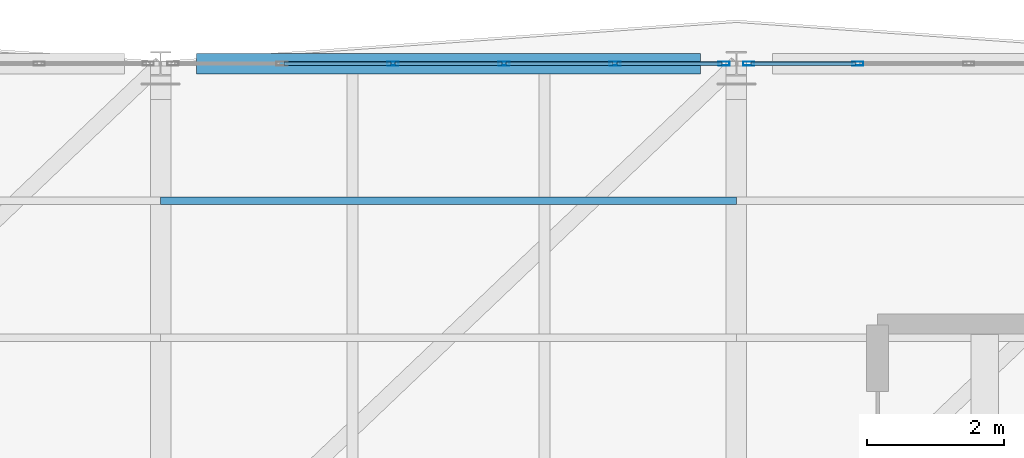
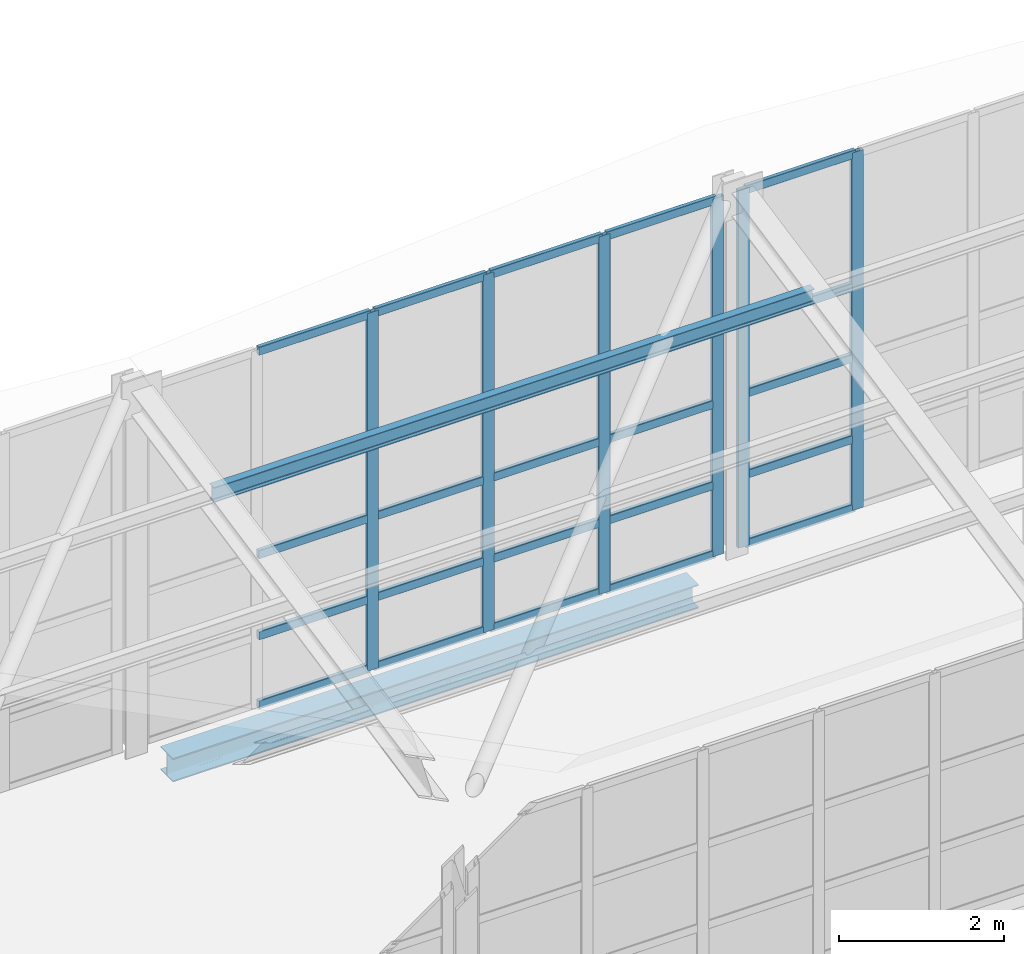
# One storey, part 111 of 177: 32 members, 1 beam, 2 elements without a shape of their own.
"""IFC4 building model written with IfcOpenShell, lengths in metres."""

from ifc_helpers import new_model, si_unit, direction, frame, origin, origin_2d, place, context, subcontext, project, spatial, hollow_rectangle, i_section, extrude, material, layer, layer_set, material_profile, profile_set, type_object, element, aggregate, save


model = new_model("IFC4")

# Units and contexts
model_context = context("Model", 3, precision=1e-05, world=origin(), true_north=direction((0.0, 1.0)))
body_context = subcontext(model_context, "Body", "Model", "MODEL_VIEW")
ifc_project = project(units=[si_unit("LENGTHUNIT", "METRE"), si_unit("AREAUNIT", "SQUARE_METRE"), si_unit("VOLUMEUNIT", "CUBIC_METRE"), si_unit("PLANEANGLEUNIT", "RADIAN"), si_unit("MASSUNIT", "GRAM", prefix="KILO"), si_unit("THERMODYNAMICTEMPERATUREUNIT", "KELVIN"), si_unit("POWERUNIT", "WATT")], contexts=[model_context])

# Site, building, storey
site_placement = place(None, origin())
site = spatial("IfcSite", under=ifc_project, at=site_placement, CompositionType="ELEMENT")
building_placement = place(site_placement, origin())
building = spatial("IfcBuilding", under=site, at=building_placement, Name="Mavoryth Pier Ferry Terminal", CompositionType="ELEMENT")
storey_placement = place(building_placement, frame((0.0, 0.0, 5.43994140625)))
storey = spatial("IfcBuildingStorey", under=building, at=storey_placement, Name="L01", CompositionType="ELEMENT", Elevation=5.43994140625)

# Curtain wall, members
ifc_material_1 = material(Name="Anodised Aluminium and Solar-Control Low-E Glass", Category="aluminium")
ifc_layer = layer(ifc_material_1, 0.139892578125, Name="Anodised Aluminium and Solar-Control Low-E Glass", Category="aluminium")
ifc_layer_set = layer_set([ifc_layer], Name="Anodised Aluminium and Solar-Control Low-E Glass - CW-Gallery-Mod1600")
curtain_wall_type = type_object("IfcCurtainWallType", Name="CW-Gallery-Mod1600", PredefinedType="USERDEFINED", material=ifc_layer_set)
curtain_wall_1_placement = place(storey_placement, origin())
curtain_wall_1 = element("IfcCurtainWall", 1, at=curtain_wall_1_placement, inside=storey, type_object=curtain_wall_type, Name="Curtain Wall CW-0122-088", ObjectType="UNITISED CURTAIN WALL", PredefinedType="USERDEFINED")
ifc_material_2 = material(Name="Anodised Aluminium EN AW-6063", Category="aluminium")
ifc_material_profile_1 = material_profile(ifc_material_2, hollow_rectangle(XDim=0.06005859375, YDim=0.1650390625, WallThickness=0.00390625, InnerFilletRadius=0.00390625, OuterFilletRadius=0.008056640625, at=origin_2d()), Name="AL-MULL 165x60x4", Category="aluminium")
ifc_profile_set_1 = profile_set([ifc_material_profile_1], Name="Anodised Aluminium EN AW-6063 - AL-MULL 165x60x4")
member_type_1 = type_object("IfcMemberType", Name="Mullion-Alum-165x60", PredefinedType="MULLION", material=ifc_profile_set_1)
member_1_placement = place(storey_placement, frame((125.820068359375, 114.0, 0.0), z_axis=(0.0, 0.0, 1.0), x_axis=(0.0, -1.0, 0.0)))
member_1 = element("IfcMember", 2, at=member_1_placement, type_object=member_type_1, Name="CW05 mullion 1", PredefinedType="MULLION", context=body_context, shape_type="SweptSolid", body=[
    extrude(hollow_rectangle(XDim=0.06005859375, YDim=0.1650390625, WallThickness=0.00390625, InnerFilletRadius=0.00390625, OuterFilletRadius=0.008056640625, at=origin_2d()), origin(), (0.0, 0.0, 1.0), 5.28759765625),
])
member_2_placement = place(storey_placement, frame((124.22998046875, 114.0, 0.0), z_axis=(0.0, 0.0, 1.0), x_axis=(0.0, -1.0, 0.0)))
member_2 = element("IfcMember", 3, at=member_2_placement, type_object=member_type_1, Name="CW05 mullion 2", PredefinedType="MULLION", context=body_context, shape_type="SweptSolid", body=[
    extrude(hollow_rectangle(XDim=0.06005859375, YDim=0.1650390625, WallThickness=0.00390625, InnerFilletRadius=0.00390625, OuterFilletRadius=0.008056640625, at=origin_2d()), origin(), (0.0, 0.0, 1.0), 5.28759765625),
])
member_3_placement = place(storey_placement, frame((122.610107421875, 114.0, 0.0), z_axis=(0.0, 0.0, 1.0), x_axis=(0.0, -1.0, 0.0)))
member_3 = element("IfcMember", 4, at=member_3_placement, type_object=member_type_1, Name="CW05 mullion 3", PredefinedType="MULLION", context=body_context, shape_type="SweptSolid", body=[
    extrude(hollow_rectangle(XDim=0.06005859375, YDim=0.1650390625, WallThickness=0.00390625, InnerFilletRadius=0.00390625, OuterFilletRadius=0.008056640625, at=origin_2d()), origin(), (0.0, 0.0, 1.0), 5.28759765625),
])
member_4_placement = place(storey_placement, frame((120.989990234375, 114.0, 0.0), z_axis=(0.0, 0.0, 1.0), x_axis=(0.0, -1.0, 0.0)))
member_4 = element("IfcMember", 5, at=member_4_placement, type_object=member_type_1, Name="CW05 mullion 4", PredefinedType="MULLION", context=body_context, shape_type="SweptSolid", body=[
    extrude(hollow_rectangle(XDim=0.06005859375, YDim=0.1650390625, WallThickness=0.00390625, InnerFilletRadius=0.00390625, OuterFilletRadius=0.008056640625, at=origin_2d()), origin(), (0.0, 0.0, 1.0), 5.28759765625),
])

curtain_wall_2_placement = place(storey_placement, origin())
curtain_wall_2 = element("IfcCurtainWall", 6, at=curtain_wall_2_placement, inside=storey, type_object=curtain_wall_type, Name="Curtain Wall CW-0122-090", ObjectType="UNITISED CURTAIN WALL", PredefinedType="USERDEFINED")
member_5_placement = place(storey_placement, frame((127.77001953125, 114.0, 0.0), z_axis=(0.0, 0.0, 1.0), x_axis=(0.0, -1.0, 0.0)))
member_5 = element("IfcMember", 7, at=member_5_placement, type_object=member_type_1, Name="CW05 mullion 5", PredefinedType="MULLION", context=body_context, shape_type="SweptSolid", body=[
    extrude(hollow_rectangle(XDim=0.06005859375, YDim=0.1650390625, WallThickness=0.00390625, InnerFilletRadius=0.00390625, OuterFilletRadius=0.008056640625, at=origin_2d()), origin(), (0.0, 0.0, 1.0), 5.28759765625),
])
member_6_placement = place(storey_placement, frame((126.179931640625, 114.0, 0.0), z_axis=(0.0, 0.0, 1.0), x_axis=(0.0, -1.0, 0.0)))
member_6 = element("IfcMember", 8, at=member_6_placement, type_object=member_type_1, Name="CW05 mullion 6", PredefinedType="MULLION", context=body_context, shape_type="SweptSolid", body=[
    extrude(hollow_rectangle(XDim=0.06005859375, YDim=0.1650390625, WallThickness=0.00390625, InnerFilletRadius=0.00390625, OuterFilletRadius=0.008056640625, at=origin_2d()), origin(), (0.0, 0.0, 1.0), 5.28759765625),
])

# Member
ifc_material_3 = material(Name="Steel S355J2", Category="steel")
ifc_material_profile_2 = material_profile(ifc_material_3, i_section(OverallWidth=0.110107421875, OverallDepth=0.219970703125, WebThickness=0.005859375, FlangeThickness=0.00927734375, FilletRadius=0.011962890625, at=origin_2d()), Name="IPE 220", Category="steel")
ifc_profile_set_2 = profile_set([ifc_material_profile_2], Name="Steel S355J2 - IPE 220")
member_type_2 = type_object("IfcMemberType", Name="Purlin-Roof-IPE220", PredefinedType="PURLIN", material=ifc_profile_set_2)
member_7_placement = place(storey_placement, frame((117.60009765625, 112.0, 4.991943359375), z_axis=(1.0, 0.0, 0.0), x_axis=(0.0, 1.0, 0.0)))
element("IfcMember", 9, at=member_7_placement, inside=storey, type_object=member_type_2, Name="Steel Member MB-L01-0284", PredefinedType="PURLIN", context=body_context, shape_type="SweptSolid", body=[
    extrude(i_section(OverallWidth=0.110107421875, OverallDepth=0.219970703125, WebThickness=0.005859375, FlangeThickness=0.00927734375, FilletRadius=0.011962890625, at=origin_2d()), origin(), (0.0, 0.0, 1.0), 8.39990234375),
])

# Beam
ifc_material_profile_3 = material_profile(ifc_material_3, i_section(OverallWidth=0.300048828125, OverallDepth=0.35009765625, WebThickness=0.010009765625, FlangeThickness=0.017578125, FilletRadius=0.027099609375, at=origin_2d()), Name="HEA 360", Category="steel")
ifc_profile_set_3 = profile_set([ifc_material_profile_3], Name="Steel S355J2 - HEA 360")
beam_type = type_object("IfcBeamType", Name="Spandrel-Steel-HEA360", PredefinedType="SPANDREL", material=ifc_profile_set_3)
beam_placement = place(storey_placement, frame((118.125, 114.0, -0.4150390625), z_axis=(1.0, 0.0, 0.0), x_axis=(0.0, 1.0, 0.0)))
element("IfcBeam", 10, at=beam_placement, inside=storey, type_object=beam_type, Name="Beam B01-SP03-0274", PredefinedType="SPANDREL", context=body_context, shape_type="SweptSolid", body=[
    extrude(i_section(OverallWidth=0.300048828125, OverallDepth=0.35009765625, WebThickness=0.010009765625, FlangeThickness=0.017578125, FilletRadius=0.027099609375, at=origin_2d()), origin(), (0.0, 0.0, 1.0), 7.35009765625),
])

# Member
ifc_material_profile_4 = material_profile(ifc_material_2, hollow_rectangle(XDim=0.06005859375, YDim=0.125, WallThickness=0.00390625, InnerFilletRadius=0.00390625, OuterFilletRadius=0.008056640625, at=origin_2d()), Name="AL-TRAN 125x60x4", Category="aluminium")
ifc_profile_set_4 = profile_set([ifc_material_profile_4], Name="Anodised Aluminium EN AW-6063 - AL-TRAN 125x60x4")
member_type_3 = type_object("IfcMemberType", Name="Transom-Alum-125x60", PredefinedType="USERDEFINED", material=ifc_profile_set_4)
member_8_placement = place(storey_placement, frame((125.7900390625, 114.0, 0.030029296875), z_axis=(-1.0, 0.0, 0.0), x_axis=(0.0, -1.0, 0.0)))
member_8 = element("IfcMember", 11, at=member_8_placement, type_object=member_type_3, Name="CW05 transom 1.1", ObjectType="TRANSOM", PredefinedType="USERDEFINED", context=body_context, shape_type="SweptSolid", body=[
    extrude(hollow_rectangle(XDim=0.06005859375, YDim=0.125, WallThickness=0.00390625, InnerFilletRadius=0.00390625, OuterFilletRadius=0.008056640625, at=origin_2d()), origin(), (0.0, 0.0, 1.0), 1.530029296875),
])

member_9_placement = place(storey_placement, frame((125.7900390625, 114.0, 1.050048828125), z_axis=(-1.0, 0.0, 0.0), x_axis=(0.0, -1.0, 0.0)))
member_9 = element("IfcMember", 12, at=member_9_placement, type_object=member_type_3, Name="CW05 transom 1.2", ObjectType="TRANSOM", PredefinedType="USERDEFINED", context=body_context, shape_type="SweptSolid", body=[
    extrude(hollow_rectangle(XDim=0.06005859375, YDim=0.125, WallThickness=0.00390625, InnerFilletRadius=0.00390625, OuterFilletRadius=0.008056640625, at=origin_2d()), origin(), (0.0, 0.0, 1.0), 1.530029296875),
])

member_10_placement = place(storey_placement, frame((125.7900390625, 114.0, 2.25), z_axis=(-1.0, 0.0, 0.0), x_axis=(0.0, -1.0, 0.0)))
member_10 = element("IfcMember", 13, at=member_10_placement, type_object=member_type_3, Name="CW05 transom 1.3", ObjectType="TRANSOM", PredefinedType="USERDEFINED", context=body_context, shape_type="SweptSolid", body=[
    extrude(hollow_rectangle(XDim=0.06005859375, YDim=0.125, WallThickness=0.00390625, InnerFilletRadius=0.00390625, OuterFilletRadius=0.008056640625, at=origin_2d()), origin(), (0.0, 0.0, 1.0), 1.530029296875),
])

member_11_placement = place(storey_placement, frame((125.7900390625, 114.0, 3.300048828125), z_axis=(-1.0, 0.0, 0.0), x_axis=(0.0, -1.0, 0.0)))
member_11 = element("IfcMember", 14, at=member_11_placement, type_object=member_type_3, Name="CW05 transom 1.4", ObjectType="TRANSOM", PredefinedType="USERDEFINED", context=body_context, shape_type="SweptSolid", body=[
    extrude(hollow_rectangle(XDim=0.06005859375, YDim=0.125, WallThickness=0.00390625, InnerFilletRadius=0.00390625, OuterFilletRadius=0.008056640625, at=origin_2d()), origin(), (0.0, 0.0, 1.0), 1.530029296875),
])

member_12_placement = place(storey_placement, frame((125.7900390625, 114.0, 5.257568359375), z_axis=(-1.0, 0.0, 0.0), x_axis=(0.0, -1.0, 0.0)))
member_12 = element("IfcMember", 15, at=member_12_placement, type_object=member_type_3, Name="CW05 transom 1.5", ObjectType="TRANSOM", PredefinedType="USERDEFINED", context=body_context, shape_type="SweptSolid", body=[
    extrude(hollow_rectangle(XDim=0.06005859375, YDim=0.125, WallThickness=0.00390625, InnerFilletRadius=0.00390625, OuterFilletRadius=0.008056640625, at=origin_2d()), origin(), (0.0, 0.0, 1.0), 1.530029296875),
])

member_13_placement = place(storey_placement, frame((124.199951171875, 114.0, 0.030029296875), z_axis=(-1.0, 0.0, 0.0), x_axis=(0.0, -1.0, 0.0)))
member_13 = element("IfcMember", 16, at=member_13_placement, type_object=member_type_3, Name="CW05 transom 2.1", ObjectType="TRANSOM", PredefinedType="USERDEFINED", context=body_context, shape_type="SweptSolid", body=[
    extrude(hollow_rectangle(XDim=0.06005859375, YDim=0.125, WallThickness=0.00390625, InnerFilletRadius=0.00390625, OuterFilletRadius=0.008056640625, at=origin_2d()), origin(), (0.0, 0.0, 1.0), 1.56005859375),
])

member_14_placement = place(storey_placement, frame((124.199951171875, 114.0, 1.050048828125), z_axis=(-1.0, 0.0, 0.0), x_axis=(0.0, -1.0, 0.0)))
member_14 = element("IfcMember", 17, at=member_14_placement, type_object=member_type_3, Name="CW05 transom 2.2", ObjectType="TRANSOM", PredefinedType="USERDEFINED", context=body_context, shape_type="SweptSolid", body=[
    extrude(hollow_rectangle(XDim=0.06005859375, YDim=0.125, WallThickness=0.00390625, InnerFilletRadius=0.00390625, OuterFilletRadius=0.008056640625, at=origin_2d()), origin(), (0.0, 0.0, 1.0), 1.56005859375),
])

member_15_placement = place(storey_placement, frame((124.199951171875, 114.0, 2.25), z_axis=(-1.0, 0.0, 0.0), x_axis=(0.0, -1.0, 0.0)))
member_15 = element("IfcMember", 18, at=member_15_placement, type_object=member_type_3, Name="CW05 transom 2.3", ObjectType="TRANSOM", PredefinedType="USERDEFINED", context=body_context, shape_type="SweptSolid", body=[
    extrude(hollow_rectangle(XDim=0.06005859375, YDim=0.125, WallThickness=0.00390625, InnerFilletRadius=0.00390625, OuterFilletRadius=0.008056640625, at=origin_2d()), origin(), (0.0, 0.0, 1.0), 1.56005859375),
])

member_16_placement = place(storey_placement, frame((124.199951171875, 114.0, 3.300048828125), z_axis=(-1.0, 0.0, 0.0), x_axis=(0.0, -1.0, 0.0)))
member_16 = element("IfcMember", 19, at=member_16_placement, type_object=member_type_3, Name="CW05 transom 2.4", ObjectType="TRANSOM", PredefinedType="USERDEFINED", context=body_context, shape_type="SweptSolid", body=[
    extrude(hollow_rectangle(XDim=0.06005859375, YDim=0.125, WallThickness=0.00390625, InnerFilletRadius=0.00390625, OuterFilletRadius=0.008056640625, at=origin_2d()), origin(), (0.0, 0.0, 1.0), 1.56005859375),
])

member_17_placement = place(storey_placement, frame((124.199951171875, 114.0, 5.257568359375), z_axis=(-1.0, 0.0, 0.0), x_axis=(0.0, -1.0, 0.0)))
member_17 = element("IfcMember", 20, at=member_17_placement, type_object=member_type_3, Name="CW05 transom 2.5", ObjectType="TRANSOM", PredefinedType="USERDEFINED", context=body_context, shape_type="SweptSolid", body=[
    extrude(hollow_rectangle(XDim=0.06005859375, YDim=0.125, WallThickness=0.00390625, InnerFilletRadius=0.00390625, OuterFilletRadius=0.008056640625, at=origin_2d()), origin(), (0.0, 0.0, 1.0), 1.56005859375),
])

member_18_placement = place(storey_placement, frame((122.580078125, 114.0, 0.030029296875), z_axis=(-1.0, 0.0, 0.0), x_axis=(0.0, -1.0, 0.0)))
member_18 = element("IfcMember", 21, at=member_18_placement, type_object=member_type_3, Name="CW05 transom 3.1", ObjectType="TRANSOM", PredefinedType="USERDEFINED", context=body_context, shape_type="SweptSolid", body=[
    extrude(hollow_rectangle(XDim=0.06005859375, YDim=0.125, WallThickness=0.00390625, InnerFilletRadius=0.00390625, OuterFilletRadius=0.008056640625, at=origin_2d()), origin(), (0.0, 0.0, 1.0), 1.56005859375),
])

member_19_placement = place(storey_placement, frame((122.580078125, 114.0, 1.050048828125), z_axis=(-1.0, 0.0, 0.0), x_axis=(0.0, -1.0, 0.0)))
member_19 = element("IfcMember", 22, at=member_19_placement, type_object=member_type_3, Name="CW05 transom 3.2", ObjectType="TRANSOM", PredefinedType="USERDEFINED", context=body_context, shape_type="SweptSolid", body=[
    extrude(hollow_rectangle(XDim=0.06005859375, YDim=0.125, WallThickness=0.00390625, InnerFilletRadius=0.00390625, OuterFilletRadius=0.008056640625, at=origin_2d()), origin(), (0.0, 0.0, 1.0), 1.56005859375),
])

member_20_placement = place(storey_placement, frame((122.580078125, 114.0, 2.25), z_axis=(-1.0, 0.0, 0.0), x_axis=(0.0, -1.0, 0.0)))
member_20 = element("IfcMember", 23, at=member_20_placement, type_object=member_type_3, Name="CW05 transom 3.3", ObjectType="TRANSOM", PredefinedType="USERDEFINED", context=body_context, shape_type="SweptSolid", body=[
    extrude(hollow_rectangle(XDim=0.06005859375, YDim=0.125, WallThickness=0.00390625, InnerFilletRadius=0.00390625, OuterFilletRadius=0.008056640625, at=origin_2d()), origin(), (0.0, 0.0, 1.0), 1.56005859375),
])

member_21_placement = place(storey_placement, frame((122.580078125, 114.0, 3.300048828125), z_axis=(-1.0, 0.0, 0.0), x_axis=(0.0, -1.0, 0.0)))
member_21 = element("IfcMember", 24, at=member_21_placement, type_object=member_type_3, Name="CW05 transom 3.4", ObjectType="TRANSOM", PredefinedType="USERDEFINED", context=body_context, shape_type="SweptSolid", body=[
    extrude(hollow_rectangle(XDim=0.06005859375, YDim=0.125, WallThickness=0.00390625, InnerFilletRadius=0.00390625, OuterFilletRadius=0.008056640625, at=origin_2d()), origin(), (0.0, 0.0, 1.0), 1.56005859375),
])

member_22_placement = place(storey_placement, frame((122.580078125, 114.0, 5.257568359375), z_axis=(-1.0, 0.0, 0.0), x_axis=(0.0, -1.0, 0.0)))
member_22 = element("IfcMember", 25, at=member_22_placement, type_object=member_type_3, Name="CW05 transom 3.5", ObjectType="TRANSOM", PredefinedType="USERDEFINED", context=body_context, shape_type="SweptSolid", body=[
    extrude(hollow_rectangle(XDim=0.06005859375, YDim=0.125, WallThickness=0.00390625, InnerFilletRadius=0.00390625, OuterFilletRadius=0.008056640625, at=origin_2d()), origin(), (0.0, 0.0, 1.0), 1.56005859375),
])

member_23_placement = place(storey_placement, frame((120.9599609375, 114.0, 0.030029296875), z_axis=(-1.0, 0.0, 0.0), x_axis=(0.0, -1.0, 0.0)))
member_23 = element("IfcMember", 26, at=member_23_placement, type_object=member_type_3, Name="CW05 transom 4.1", ObjectType="TRANSOM", PredefinedType="USERDEFINED", context=body_context, shape_type="SweptSolid", body=[
    extrude(hollow_rectangle(XDim=0.06005859375, YDim=0.125, WallThickness=0.00390625, InnerFilletRadius=0.00390625, OuterFilletRadius=0.008056640625, at=origin_2d()), origin(), (0.0, 0.0, 1.0), 1.56005859375),
])

member_24_placement = place(storey_placement, frame((120.9599609375, 114.0, 1.050048828125), z_axis=(-1.0, 0.0, 0.0), x_axis=(0.0, -1.0, 0.0)))
member_24 = element("IfcMember", 27, at=member_24_placement, type_object=member_type_3, Name="CW05 transom 4.2", ObjectType="TRANSOM", PredefinedType="USERDEFINED", context=body_context, shape_type="SweptSolid", body=[
    extrude(hollow_rectangle(XDim=0.06005859375, YDim=0.125, WallThickness=0.00390625, InnerFilletRadius=0.00390625, OuterFilletRadius=0.008056640625, at=origin_2d()), origin(), (0.0, 0.0, 1.0), 1.56005859375),
])

member_25_placement = place(storey_placement, frame((120.9599609375, 114.0, 2.25), z_axis=(-1.0, 0.0, 0.0), x_axis=(0.0, -1.0, 0.0)))
member_25 = element("IfcMember", 28, at=member_25_placement, type_object=member_type_3, Name="CW05 transom 4.3", ObjectType="TRANSOM", PredefinedType="USERDEFINED", context=body_context, shape_type="SweptSolid", body=[
    extrude(hollow_rectangle(XDim=0.06005859375, YDim=0.125, WallThickness=0.00390625, InnerFilletRadius=0.00390625, OuterFilletRadius=0.008056640625, at=origin_2d()), origin(), (0.0, 0.0, 1.0), 1.56005859375),
])

member_26_placement = place(storey_placement, frame((120.9599609375, 114.0, 3.300048828125), z_axis=(-1.0, 0.0, 0.0), x_axis=(0.0, -1.0, 0.0)))
member_26 = element("IfcMember", 29, at=member_26_placement, type_object=member_type_3, Name="CW05 transom 4.4", ObjectType="TRANSOM", PredefinedType="USERDEFINED", context=body_context, shape_type="SweptSolid", body=[
    extrude(hollow_rectangle(XDim=0.06005859375, YDim=0.125, WallThickness=0.00390625, InnerFilletRadius=0.00390625, OuterFilletRadius=0.008056640625, at=origin_2d()), origin(), (0.0, 0.0, 1.0), 1.56005859375),
])

member_27_placement = place(storey_placement, frame((120.9599609375, 114.0, 5.257568359375), z_axis=(-1.0, 0.0, 0.0), x_axis=(0.0, -1.0, 0.0)))
member_27 = element("IfcMember", 30, at=member_27_placement, type_object=member_type_3, Name="CW05 transom 4.5", ObjectType="TRANSOM", PredefinedType="USERDEFINED", context=body_context, shape_type="SweptSolid", body=[
    extrude(hollow_rectangle(XDim=0.06005859375, YDim=0.125, WallThickness=0.00390625, InnerFilletRadius=0.00390625, OuterFilletRadius=0.008056640625, at=origin_2d()), origin(), (0.0, 0.0, 1.0), 1.56005859375),
])

aggregate(curtain_wall_1, [member_1, member_2, member_3, member_4, member_8, member_9, member_10, member_11, member_12, member_13, member_14, member_15, member_16, member_17, member_18, member_19, member_20, member_21, member_22, member_23, member_24, member_25, member_26, member_27])

member_28_placement = place(storey_placement, frame((127.739990234375, 114.0, 0.030029296875), z_axis=(-1.0, 0.0, 0.0), x_axis=(0.0, -1.0, 0.0)))
member_28 = element("IfcMember", 31, at=member_28_placement, type_object=member_type_3, Name="CW05 transom 5.1", ObjectType="TRANSOM", PredefinedType="USERDEFINED", context=body_context, shape_type="SweptSolid", body=[
    extrude(hollow_rectangle(XDim=0.06005859375, YDim=0.125, WallThickness=0.00390625, InnerFilletRadius=0.00390625, OuterFilletRadius=0.008056640625, at=origin_2d()), origin(), (0.0, 0.0, 1.0), 1.530029296875),
])

member_29_placement = place(storey_placement, frame((127.739990234375, 114.0, 1.050048828125), z_axis=(-1.0, 0.0, 0.0), x_axis=(0.0, -1.0, 0.0)))
member_29 = element("IfcMember", 32, at=member_29_placement, type_object=member_type_3, Name="CW05 transom 5.2", ObjectType="TRANSOM", PredefinedType="USERDEFINED", context=body_context, shape_type="SweptSolid", body=[
    extrude(hollow_rectangle(XDim=0.06005859375, YDim=0.125, WallThickness=0.00390625, InnerFilletRadius=0.00390625, OuterFilletRadius=0.008056640625, at=origin_2d()), origin(), (0.0, 0.0, 1.0), 1.530029296875),
])

member_30_placement = place(storey_placement, frame((127.739990234375, 114.0, 2.25), z_axis=(-1.0, 0.0, 0.0), x_axis=(0.0, -1.0, 0.0)))
member_30 = element("IfcMember", 33, at=member_30_placement, type_object=member_type_3, Name="CW05 transom 5.3", ObjectType="TRANSOM", PredefinedType="USERDEFINED", context=body_context, shape_type="SweptSolid", body=[
    extrude(hollow_rectangle(XDim=0.06005859375, YDim=0.125, WallThickness=0.00390625, InnerFilletRadius=0.00390625, OuterFilletRadius=0.008056640625, at=origin_2d()), origin(), (0.0, 0.0, 1.0), 1.530029296875),
])

member_31_placement = place(storey_placement, frame((127.739990234375, 114.0, 3.300048828125), z_axis=(-1.0, 0.0, 0.0), x_axis=(0.0, -1.0, 0.0)))
member_31 = element("IfcMember", 34, at=member_31_placement, type_object=member_type_3, Name="CW05 transom 5.4", ObjectType="TRANSOM", PredefinedType="USERDEFINED", context=body_context, shape_type="SweptSolid", body=[
    extrude(hollow_rectangle(XDim=0.06005859375, YDim=0.125, WallThickness=0.00390625, InnerFilletRadius=0.00390625, OuterFilletRadius=0.008056640625, at=origin_2d()), origin(), (0.0, 0.0, 1.0), 1.530029296875),
])

member_32_placement = place(storey_placement, frame((127.739990234375, 114.0, 5.257568359375), z_axis=(-1.0, 0.0, 0.0), x_axis=(0.0, -1.0, 0.0)))
member_32 = element("IfcMember", 35, at=member_32_placement, type_object=member_type_3, Name="CW05 transom 5.5", ObjectType="TRANSOM", PredefinedType="USERDEFINED", context=body_context, shape_type="SweptSolid", body=[
    extrude(hollow_rectangle(XDim=0.06005859375, YDim=0.125, WallThickness=0.00390625, InnerFilletRadius=0.00390625, OuterFilletRadius=0.008056640625, at=origin_2d()), origin(), (0.0, 0.0, 1.0), 1.530029296875),
])

aggregate(curtain_wall_2, [member_5, member_6, member_28, member_29, member_30, member_31, member_32])

save(model, "model.ifc")
